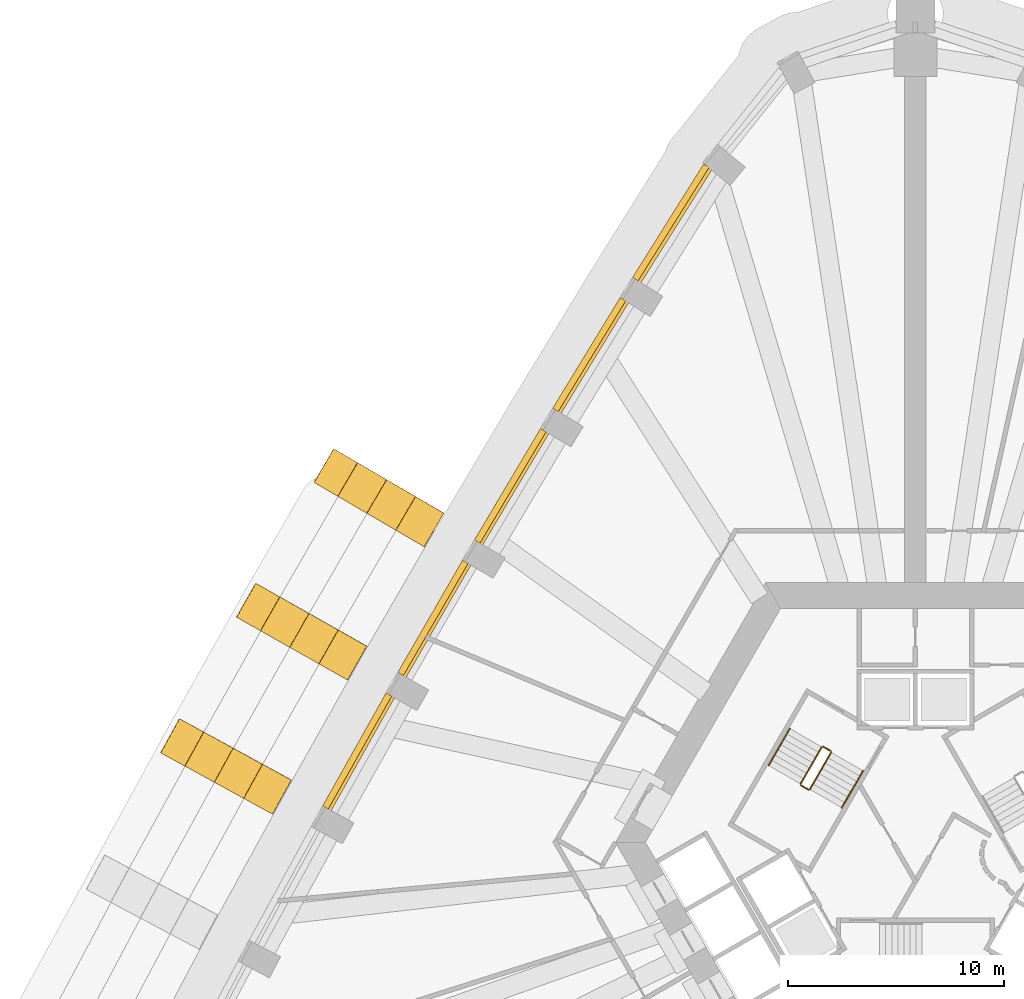
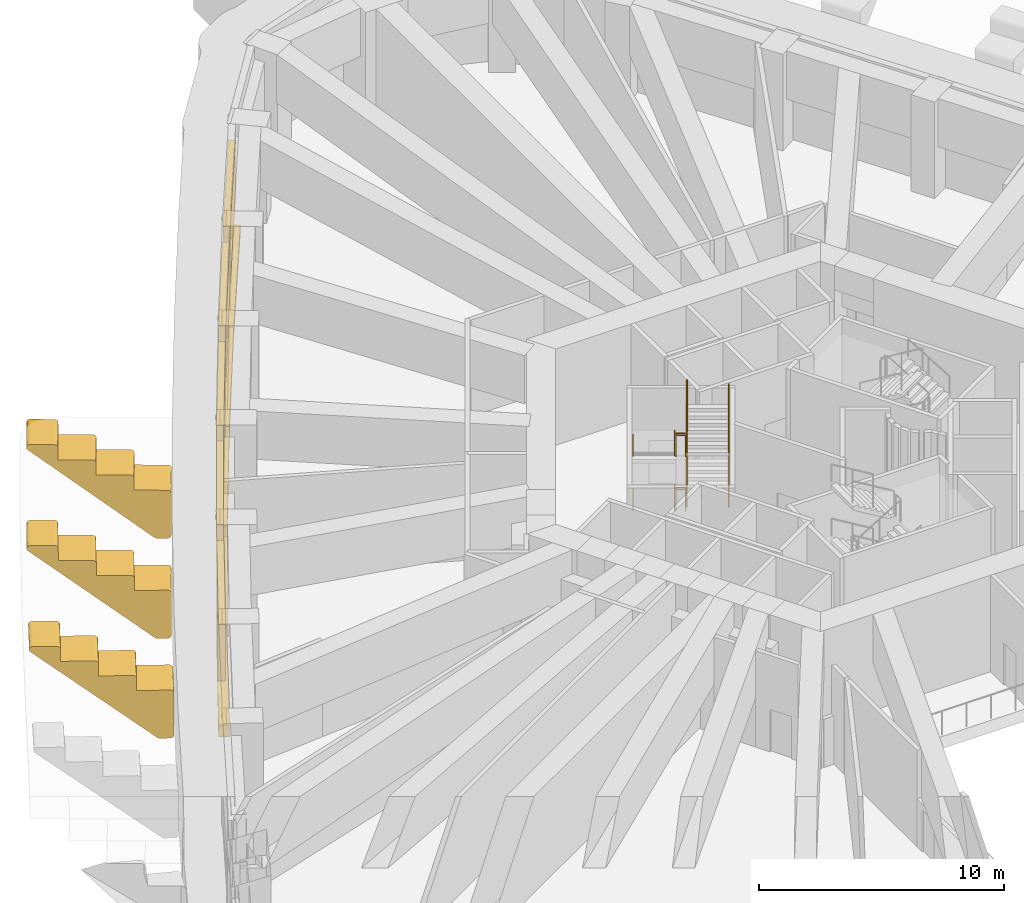
# One storey, part 16 of 20: 12 railings, 8 coverings, 5 shading devices.
"""IFC4 building model written with IfcOpenShell, lengths in metres."""

import ifcopenshell
import ifcopenshell.guid

model = None  # the IFC model being written
_history = None  # IfcOwnerHistory: only IFC2X3 demands one
_inside = {}  # id of a spatial element -> (the spatial element, [elements in it])
_under = {}  # id of a project, library or spatial element -> (it, [spatial elements below it])
_declared = {}  # id of a project -> (the project, [libraries it declares])
_typed = {}  # id of a type object -> (the type object, [elements of that type])
_made_of = {}  # id of a material, layer set ... -> (it, [elements and type objects made of it])


def new_model(schema):
    """Start an empty IFC model of exactly this schema.

    Asked for "IFC4X3", IfcOpenShell would pick the latest addendum, in which some entities
    have other attributes; the version numbers below select the first issue.
    IFC2X3 requires an IfcOwnerHistory on every rooted entity: one is made here for all.
    """
    global model, _history
    if schema == "IFC4X3":
        model = ifcopenshell.file(schema_version=(4, 3, 0, 0))
    else:
        model = ifcopenshell.file(schema=schema)
    _inside.clear()
    _under.clear()
    _declared.clear()
    _typed.clear()
    _made_of.clear()
    _history = None
    if model.schema == "IFC2X3":
        org = make("IfcOrganization", Name="unknown")
        user = make(
            "IfcPersonAndOrganization",
            ThePerson=make("IfcPerson", FamilyName="unknown"),
            TheOrganization=org,
        )
        app = make(
            "IfcApplication",
            ApplicationDeveloper=org,
            Version="unknown",
            ApplicationFullName="unknown",
            ApplicationIdentifier="unknown",
        )
        _history = make(
            "IfcOwnerHistory",
            OwningUser=user,
            OwningApplication=app,
            ChangeAction="ADDED",
            CreationDate=0,
        )
    return model


def make(cls, **values):
    """One entity of the class cls with the attributes given. An attribute that is None is left unset."""
    return model.create_entity(
        cls, **{name: value for name, value in values.items() if value is not None}
    )


def rooted(cls, **values):
    """An entity with a GlobalId (a new one), such as an element, a storey or a relation."""
    return make(cls, GlobalId=ifcopenshell.guid.new(), OwnerHistory=_history, **values)


def si_unit(unit_type, name, prefix=None):
    """IfcSIUnit, for example si_unit("LENGTHUNIT", "METRE", prefix="MILLI")."""
    return make("IfcSIUnit", UnitType=unit_type, Prefix=prefix, Name=name)


def assignment(units):
    """IfcUnitAssignment: the units of a project."""
    return None if units is None else make("IfcUnitAssignment", Units=units)


def point(xyz):
    """IfcCartesianPoint."""
    return None if xyz is None else make("IfcCartesianPoint", Coordinates=xyz)


def direction(xyz):
    """IfcDirection."""
    return None if xyz is None else make("IfcDirection", DirectionRatios=xyz)


def frame(location, z_axis=None, x_axis=None):
    """IfcAxis2Placement3D, a coordinate frame: its origin and axes. An axis left out is left unset."""
    return make(
        "IfcAxis2Placement3D",
        Location=point(location),
        Axis=direction(z_axis),
        RefDirection=direction(x_axis),
    )


def frame_2d(location, x_axis=None):
    """IfcAxis2Placement2D, a coordinate frame in the plane: its origin and x axis."""
    return make(
        "IfcAxis2Placement2D", Location=point(location), RefDirection=direction(x_axis)
    )


def origin():
    """The frame at (0, 0, 0) with its axes left unset."""
    return frame((0.0, 0.0, 0.0))


def origin_2d():
    """The frame at (0, 0) in the plane with its x axis left unset."""
    return frame_2d((0.0, 0.0))


def place(relative_to, where):
    """IfcLocalPlacement: puts the frame where relative to a parent placement (None: the world)."""
    return make(
        "IfcLocalPlacement", PlacementRelTo=relative_to, RelativePlacement=where
    )


def context(
    kind, dimensions, precision=None, world=None, true_north=None, identifier=None
):
    """IfcGeometricRepresentationContext, for example the 3D "Model" context."""
    return make(
        "IfcGeometricRepresentationContext",
        ContextIdentifier=identifier,
        ContextType=kind,
        CoordinateSpaceDimension=dimensions,
        Precision=precision,
        WorldCoordinateSystem=world,
        TrueNorth=true_north,
    )


def subcontext(parent, identifier, kind, view, scale=None):
    """IfcGeometricRepresentationSubContext, for example "Body" below "Model"."""
    return make(
        "IfcGeometricRepresentationSubContext",
        ContextIdentifier=identifier,
        ContextType=kind,
        ParentContext=parent,
        TargetScale=scale,
        TargetView=view,
    )


def project(units=None, contexts=None):
    """IfcProject with its units and contexts."""
    return rooted(
        "IfcProject",
        Name="project",
        RepresentationContexts=contexts,
        UnitsInContext=assignment(units),
    )


def spatial(cls, under=None, at=None, **own):
    """A site, building, storey or space (cls), placed at a placement, below another one or the project."""
    s = rooted(cls, ObjectPlacement=at, **own)
    if under is not None:
        _under.setdefault(under.id(), (under, []))[1].append(s)
    return s


def polyline(points):
    """IfcPolyline through the points."""
    return make("IfcPolyline", Points=[point(p) for p in points])


def profile(cls, at=None, kind="AREA", **sizes):
    """A parametric profile (cls). Its sizes go by their IFC names, for example OverallWidth=200.0."""
    return make(cls, ProfileType=kind, Position=at, **sizes)


def rectangle(**sizes):
    """IfcRectangleProfileDef."""
    return profile("IfcRectangleProfileDef", **sizes)


def circle(**sizes):
    """IfcCircleProfileDef."""
    return profile("IfcCircleProfileDef", **sizes)


def outline(outer, holes=None, kind="AREA"):
    """IfcArbitraryClosedProfileDef: a profile drawn as a closed curve; with holes, ...WithVoids."""
    if holes is None:
        return make("IfcArbitraryClosedProfileDef", ProfileType=kind, OuterCurve=outer)
    return make(
        "IfcArbitraryProfileDefWithVoids",
        ProfileType=kind,
        OuterCurve=outer,
        InnerCurves=holes,
    )


def extrude(swept, where, along, depth):
    """IfcExtrudedAreaSolid: the profile swept, set in the frame where, extruded along a direction by depth."""
    return make(
        "IfcExtrudedAreaSolid",
        SweptArea=swept,
        Position=where,
        ExtrudedDirection=direction(along),
        Depth=depth,
    )


def shape(context_of_items, identifier, shape_type, items):
    """IfcShapeRepresentation: the items that make up one representation, for example the "Body"."""
    return make(
        "IfcShapeRepresentation",
        ContextOfItems=context_of_items,
        RepresentationIdentifier=identifier,
        RepresentationType=shape_type,
        Items=items,
    )


def material(Name=None, Category=None):
    """IfcMaterial."""
    return make("IfcMaterial", Name=Name, Category=Category)


def layer(
    of_material, thickness, ventilated=None, Name=None, Category=None, Priority=None
):
    """IfcMaterialLayer: one layer of a wall or slab, of a material (None: an air gap)."""
    return make(
        "IfcMaterialLayer",
        Material=of_material,
        LayerThickness=thickness,
        IsVentilated=ventilated,
        Name=Name,
        Category=Category,
        Priority=Priority,
    )


def layer_set(layers, Name=None):
    """IfcMaterialLayerSet."""
    return make("IfcMaterialLayerSet", MaterialLayers=layers, LayerSetName=Name)


def made_of(thing, what):
    """Note that an element or type object is made of a material, layer set ...; save() writes the relation."""
    if what is not None:
        _made_of.setdefault(what.id(), (what, []))[1].append(thing)
    return thing


def type_object(cls, material=None, **own):
    """A type object (cls), such as IfcWallType, which elements share."""
    return made_of(rooted(cls, **own), material)


def element(
    cls,
    number,
    at=None,
    inside=None,
    cuts=None,
    type_object=None,
    material=None,
    context=None,
    identifier="Body",
    shape_type=None,
    held_by="IfcProductDefinitionShape",
    body=None,
    shapes=None,
    **own,
):
    """One element of the class cls, such as IfcWall. Its Tag is "e" and its number.

    at: its placement. inside: the storey or other place that contains it. cuts: it is an
    opening in that element (IfcRelVoidsElement). A single representation is given by context,
    identifier, shape_type and body (its items); several are given by shapes. held_by: the class
    of the entity that holds the representations. save() writes the other relations.
    """
    e = rooted(cls, Tag="e%d" % number, ObjectPlacement=at, **own)
    if body is not None:
        shapes = [shape(context, identifier, shape_type, body)]
    if shapes is not None:
        e.Representation = make(held_by, Representations=shapes)
    if inside is not None:
        _inside.setdefault(inside.id(), (inside, []))[1].append(e)
    if cuts is not None:
        rooted(
            "IfcRelVoidsElement", RelatingBuildingElement=cuts, RelatedOpeningElement=e
        )
    if type_object is not None:
        _typed.setdefault(type_object.id(), (type_object, []))[1].append(e)
    return made_of(e, material)


def aggregate(whole, parts):
    """IfcRelAggregates: a whole, such as a stair, and the parts it consists of."""
    return rooted("IfcRelAggregates", RelatingObject=whole, RelatedObjects=parts)


def save(model, path):
    """Write the relations noted so far, then the file.

    IfcRelAggregates (storeys below a building ...), IfcRelContainedInSpatialStructure (elements
    in a storey), IfcRelDefinesByType, IfcRelAssociatesMaterial and IfcRelDeclares: one each for
    every whole, place, type object, material and project.
    """
    for whole, parts in _under.values():
        aggregate(whole, parts)
    for where, things in _inside.values():
        rooted(
            "IfcRelContainedInSpatialStructure",
            RelatedElements=things,
            RelatingStructure=where,
        )
    for kind, things in _typed.values():
        rooted("IfcRelDefinesByType", RelatedObjects=things, RelatingType=kind)
    for what, things in _made_of.values():
        rooted("IfcRelAssociatesMaterial", RelatedObjects=things, RelatingMaterial=what)
    for by, libraries in _declared.values():
        rooted("IfcRelDeclares", RelatingContext=by, RelatedDefinitions=libraries)
    model.write(path)


model = new_model("IFC4")

# Units and contexts
model_context = context("Model", 3, precision=1e-05, world=origin(), true_north=direction((0.0, 1.0)))
body_context = subcontext(model_context, "Body", "Model", "MODEL_VIEW")
ifc_project = project(units=[si_unit("LENGTHUNIT", "METRE"), si_unit("AREAUNIT", "SQUARE_METRE"), si_unit("VOLUMEUNIT", "CUBIC_METRE"), si_unit("PLANEANGLEUNIT", "RADIAN"), si_unit("MASSUNIT", "GRAM", prefix="KILO")], contexts=[model_context])

# Site, building, storey
site_placement = place(None, origin())
site = spatial("IfcSite", under=ifc_project, at=site_placement, CompositionType="ELEMENT")
building_placement = place(site_placement, origin())
building = spatial("IfcBuilding", under=site, at=building_placement, Name="Entoto Arch Interchange Tower", CompositionType="ELEMENT")
storey_placement = place(building_placement, frame((0.0, 0.0, 184.39990234375)))
storey = spatial("IfcBuildingStorey", under=building, at=storey_placement, Name="L41", CompositionType="ELEMENT", Elevation=184.39990234375)

# Shading devices
ifc_material_1 = material(Name="Aluminium, anodised", Category="aluminium")
ifc_layer = layer(ifc_material_1, 0.300048828125)
ifc_layer_set = layer_set([ifc_layer], Name="Aluminium, anodised")
shading_device_type = type_object("IfcShadingDeviceType", Name="PLANT LOUVRE ALUMINIUM", PredefinedType="JALOUSIE", material=ifc_layer_set)
shading_device_1_placement = place(storey_placement, frame((-11.300048828125, 31.14306640625, 1.2001953125), z_axis=(0.0, 0.0, 1.0), x_axis=(-0.530703502672, -0.847557545097, 0.0)))
element("IfcShadingDevice", 1, at=shading_device_1_placement, inside=storey, type_object=shading_device_type, Name="Plant louvre NW-01 L41", PredefinedType="JALOUSIE", context=body_context, shape_type="SweptSolid", body=[
    extrude(rectangle(XDim=6.181884765625, YDim=0.300048828125, at=origin_2d()), origin(), (0.0, 0.0, 1.0), 2.800048828125),
])
shading_device_2_placement = place(storey_placement, frame((-15.072021484375, 25.037109375, 1.2001953125), z_axis=(0.0, 0.0, 1.0), x_axis=(-0.520458324188, -0.853887072617, 0.0)))
element("IfcShadingDevice", 2, at=shading_device_2_placement, inside=storey, type_object=shading_device_type, Name="Plant louvre NW-02 L41", PredefinedType="JALOUSIE", context=body_context, shape_type="SweptSolid", body=[
    extrude(rectangle(XDim=5.97705078125, YDim=0.300048828125, at=origin_2d()), origin(), (0.0, 0.0, 1.0), 2.800048828125),
])
shading_device_3_placement = place(storey_placement, frame((-18.718017578125, 18.97412109375, 1.2001953125), z_axis=(0.0, 0.0, 1.0), x_axis=(-0.510137665403, -0.860092763798, 0.0)))
element("IfcShadingDevice", 3, at=shading_device_3_placement, inside=storey, type_object=shading_device_type, Name="Plant louvre NW-03 L41", PredefinedType="JALOUSIE", context=body_context, shape_type="SweptSolid", body=[
    extrude(rectangle(XDim=5.97509765625, YDim=0.300048828125, at=origin_2d()), origin(), (0.0, 0.0, 1.0), 2.800048828125),
])
shading_device_4_placement = place(storey_placement, frame((-22.291015625, 12.8701171875, 1.2001953125), z_axis=(0.0, 0.0, 1.0), x_axis=(-0.499954654331, -0.866051582536, 0.0)))
element("IfcShadingDevice", 4, at=shading_device_4_placement, inside=storey, type_object=shading_device_type, Name="Plant louvre NW-04 L41", PredefinedType="JALOUSIE", context=body_context, shape_type="SweptSolid", body=[
    extrude(rectangle(XDim=5.97705078125, YDim=0.300048828125, at=origin_2d()), origin(), (0.0, 0.0, 1.0), 2.800048828125),
])
shading_device_5_placement = place(storey_placement, frame((-25.791015625, 6.722900390625, 1.2001953125), z_axis=(0.0, 0.0, 1.0), x_axis=(-0.489671613958, -0.871906939119, 0.0)))
element("IfcShadingDevice", 5, at=shading_device_5_placement, inside=storey, type_object=shading_device_type, Name="Plant louvre NW-05 L41", PredefinedType="JALOUSIE", context=body_context, shape_type="SweptSolid", body=[
    extrude(rectangle(XDim=5.97509765625, YDim=0.300048828125, at=origin_2d()), origin(), (0.0, 0.0, 1.0), 2.800048828125),
])

# Coverings
ifc_material_2 = material(Name="Board-marked precast concrete C50/60", Category="concrete")
covering_type_1 = type_object("IfcCoveringType", Name="PRECAST FRAME COURSE", PredefinedType="CLADDING", material=ifc_material_2)
covering_1_placement = place(storey_placement, frame((-22.367919921875, 18.05908203125, -0.56494140625), z_axis=(0.506027863496, 0.862511859112, 0.003015668627), x_axis=(0.739432822847, -0.432013202965, -0.516336801865)))
element("IfcCovering", 6, at=covering_1_placement, inside=storey, type_object=covering_type_1, Name="Fold rib NW04 L41", PredefinedType="CLADDING", context=body_context, shape_type="SweptSolid", body=[
    extrude(outline(polyline([(0.0, 0.0), (0.044447294992907546, 0.0), (0.08759388481031209, -0.01318497045550249), (0.48992101518003006, -0.25576104474416084), (0.5216849723243558, -0.28660142880021233), (0.5424332148879139, -0.32590794633006503), (0.5502626790137697, -0.36911545623825937), (0.5463323126395223, -0.41236049459729796), (0.5295260059681425, -0.45354096031836866), (-0.5553693091587629, -2.251724267246657), (-0.5726582856305473, -2.2752225141527256), (-0.5939517813636082, -2.2948841138518508), (-0.619344513054294, -2.310077652708122), (-0.6619319527160228, -2.3228873559143324), (-0.7063792477089301, -2.3228873559143324), (-0.7345285957790928, -2.315323047510963), (-0.760888701964068, -2.302849889075579), (-1.9344285485079489, -1.5952895942969092), (-2.252165381802492, -2.1218431455497093), (-2.283463954292672, -2.1520086461461507), (-2.308856685983358, -2.167202185002422), (-2.3362373666882204, -2.1774928382117347), (-2.3796091721636357, -2.181560009112365), (-2.4232131943687145, -2.172945550000093), (-2.44967877252707, -2.160408057899412), (-3.6487881221477734, -1.4374320415049837), (-3.967247057808379, -1.9635519562282508), (-3.997823527932497, -1.9941510933542248), (-4.023216259623183, -2.009344632210496), (-4.0513048257864614, -2.0192052079609395), (-4.094571159288496, -2.0233367125268664), (-4.137994655902061, -2.014830662546978), (-4.16421887175841, -2.002442095975103), (-5.363750109272635, -1.2792087449194853), (-5.681892629013099, -1.805521660638644), (-5.712785515057357, -1.8359277967687264), (-5.738178246748044, -1.8511213356249976), (-5.765664399426287, -1.8613476551690136), (-5.809652835294383, -1.8650455232054077), (-5.852534755133401, -1.8568647006226686), (-5.8797224356578175, -1.8438935719924547), (-6.726485453895221, -1.333356716916553), (-6.749820149131768, -1.315865705179486), (-6.769649617093756, -1.2945023001964873), (-6.7843015839167755, -1.269418392429741), (-6.797444069125039, -1.2275677963473446), (-6.798251134458765, -1.1980039219798329), (-6.794296957408922, -1.1687432343994018), (-6.784676372125244, -1.14175916736427), (-6.76980143496214, -1.1170880552976605), (-6.7499242634986505, -1.0951480526413797), (-6.727037379535119, -1.0773026259905172), (-6.700514321139758, -1.0642147472937213), (-6.6715681326669785, -1.0571513970307609), (0.0, 0.0)])), origin(), (0.0, 0.0, -1.0), 1.800048828125),
])
covering_2_placement = place(storey_placement, frame((-25.93408203125, 11.906982421875, -0.56494140625), z_axis=(0.494016524448, 0.869447248896, 0.003025716345), x_axis=(0.746462994736, -0.422347866749, -0.514213260178)))
element("IfcCovering", 7, at=covering_2_placement, inside=storey, type_object=covering_type_1, Name="Fold rib NW05 L41", PredefinedType="CLADDING", context=body_context, shape_type="SweptSolid", body=[
    extrude(outline(polyline([(0.0, 0.0), (0.04462845394218739, 3.469446951953614e-18), (0.08739292597159795, -0.012828556189763016), (0.49101728658221744, -0.25482559214136924), (0.5224385629672219, -0.2853350794173172), (0.5428707406947765, -0.32434107626372294), (0.5509835625222901, -0.36763576439559187), (0.5476994042080946, -0.4112132507005985), (0.5302696821195224, -0.4520022851374379), (-0.5499352801961389, -2.2530022927739015), (-0.5667449660813993, -2.276798582993454), (-0.5887203460507648, -2.296076115572383), (-0.6140732742042778, -2.3113330907348932), (-0.6562162663846194, -2.3244971769157714), (-0.7006624783847325, -2.324606015636368), (-0.728827773876958, -2.3171117324514494), (-0.7548003356420657, -2.30495633617168), (-1.9297068597671778, -1.6005332874633824), (-2.2471707215526244, -2.1272547138792355), (-2.2775688584888467, -2.1579911673493304), (-2.3036507544106564, -2.172812787629454), (-2.331112427307201, -2.1831057239375617), (-2.374782289754153, -2.1870985028263), (-2.4184052540833365, -2.1785914293460102), (-2.444377815848444, -2.1664360330662413), (-3.6450740763769804, -1.4465504457445786), (-3.962355696220353, -1.9733807108810284), (-3.9928569454287315, -2.0040545939329344), (-4.018106761310089, -2.0193741395136335), (-4.046479643917004, -2.0291228822187577), (-4.089420538595659, -2.033551015989883), (-4.132861260982769, -2.0251527812301893), (-4.159745032458247, -2.0124531913474373), (-5.360362163316864, -1.2926138723281824), (-5.677826025102311, -1.8193352987440354), (-5.708224162038534, -1.8500717522141303), (-5.733164641103425, -1.8655790090493967), (-5.761038763088591, -1.8756216636847478), (-5.804605513263388, -1.8796770129916753), (-5.847816028503949, -1.8714202211841418), (-5.875033119398131, -1.8585166179310417), (-6.722360833323902, -1.3504974646099943), (-6.746564955896732, -1.3325685272411798), (-6.766159234291004, -1.3114259843768337), (-6.786773653960633, -1.2723111488098313), (-6.794423059547757, -1.244380361825752), (-6.795590681803439, -1.2146452222391293), (-6.79118986838533, -1.1856892560457122), (-6.7817380268916825, -1.1586193402261942), (-6.767336715066984, -1.1336611658178453), (-6.747412115427434, -1.1117340740091528), (-6.7246719396413175, -1.0937703447498301), (-6.697894086654131, -1.0807901443528865), (-6.669566351906155, -1.0732933108542122), (0.0, 0.0)])), origin(), (0.0, 0.0, -1.0), 1.800048828125),
])
covering_3_placement = place(storey_placement, frame((-29.4189453125, 5.7099609375, -0.56494140625), z_axis=(0.481971786251, 0.876181340662, 0.003074985137), x_axis=(0.748580462479, -0.409951921807, -0.521120631909)))
element("IfcCovering", 8, at=covering_3_placement, inside=storey, type_object=covering_type_1, Name="Fold rib NW06 L41", PredefinedType="CLADDING", context=body_context, shape_type="SweptSolid", body=[
    extrude(outline(polyline([(0.0, 0.0), (0.044038121105432246, -6.938893903907228e-18), (0.08688110105123895, -0.013287122092476199), (0.4821875985395345, -0.2546539983401968), (0.5131752863328483, -0.28530498433142243), (0.533294784684622, -0.32447826771248583), (0.5413792777804349, -0.3680300268449423), (0.5377368899873699, -0.41157658781407713), (0.5198750489302484, -0.45215998715612415), (-0.5746204713034644, -2.244511594463527), (-0.5918056243910542, -2.2680594294811836), (-0.6138592155794633, -2.2872041441717914), (-0.6394128250884605, -2.302208594378606), (-0.6817658587299015, -2.314965622217983), (-0.7257038939169238, -2.3150275038868324), (-0.7541311820677806, -2.307111966219777), (-0.7811355873011534, -2.2940540200320143), (-1.9499278279573278, -1.5804074088969091), (-2.2707426194472466, -2.1050905955225936), (-2.302220533999984, -2.135072664984875), (-2.3271910409333696, -2.15043580777965), (-2.3549156188215417, -2.160395877493756), (-2.3986180456388526, -2.16403315381311), (-2.4424925004883016, -2.1549804870328604), (-2.468365526440145, -2.1426147311707386), (-3.663649332156667, -1.4127920402727474), (-3.9851951592544754, -1.9370305632481912), (-4.015841952280914, -1.9675191780295633), (-4.040912545132708, -1.9828204391554882), (-4.06936815862877, -1.9923358452193538), (-4.1129704995276715, -1.9960350032075578), (-4.155931159867258, -1.9875381659901095), (-4.182635307345402, -1.9746658648088964), (-5.377188077454033, -1.245287837561146), (-5.698633818633432, -1.7695882422054399), (-5.72938069757828, -1.800014975317962), (-5.754851634103715, -1.8150687097684863), (-5.782806818007727, -1.8248935241766024), (-5.826509244825038, -1.8285308004959564), (-5.869469905164625, -1.820033963278508), (-5.896256725626331, -1.8071123778535854), (-6.740070435495284, -1.2918901050695313), (-6.762890020244532, -1.2745235045204653), (-6.782920345088253, -1.2528556439643128), (-6.79742127708533, -1.2276939772533484), (-6.810535191820486, -1.1856470702773318), (-6.811278159429412, -1.1560149282698355), (-6.806750913134885, -1.1270287041318983), (-6.797158808668124, -1.0999892591503255), (-6.781509922504826, -1.0743599301297362), (-6.763098488111693, -1.0529907917310752), (-6.739381403282216, -1.0357192025147772), (-6.712684185451238, -1.0228441646832476), (-6.684215092326255, -1.015626015505155), (0.0, 0.0)])), origin(), (0.0, 0.0, -1.0), 1.800048828125),
])
covering_type_2 = type_object("IfcCoveringType", Name="PRECAST LEDGE COURSE", PredefinedType="CLADDING", material=ifc_material_2)
covering_4_placement = place(storey_placement, frame((0.0, 0.0, -1.199951171875)))
element("IfcCovering", 9, at=covering_4_placement, inside=storey, type_object=covering_type_2, Name="Precast course NW-01 L41", PredefinedType="CLADDING", context=body_context, shape_type="SweptSolid", body=[
    extrude(outline(polyline([(-12.968994140625, 27.89306640625), (-13.35888671875, 28.136962890625), (-9.48095703125, 34.3291015625), (-9.117919921875, 34.027099609375), (-12.968994140625, 27.89306640625)])), origin(), (0.0, 0.0, 1.0), 0.60009765625),
])
covering_5_placement = place(storey_placement, frame((0.0, 0.0, -1.199951171875)))
element("IfcCovering", 10, at=covering_5_placement, inside=storey, type_object=covering_type_2, Name="Precast course NW-02 L41", PredefinedType="CLADDING", context=body_context, shape_type="SweptSolid", body=[
    extrude(outline(polyline([(-16.654052734375, 21.85888671875), (-17.0419921875, 22.093994140625), (-13.35888671875, 28.136962890625), (-12.968994140625, 27.89306640625), (-16.654052734375, 21.85888671875)])), origin(), (0.0, 0.0, 1.0), 0.60009765625),
])
covering_6_placement = place(storey_placement, frame((0.0, 0.0, -1.199951171875)))
element("IfcCovering", 11, at=covering_6_placement, inside=storey, type_object=covering_type_2, Name="Precast course NW-03 L41", PredefinedType="CLADDING", context=body_context, shape_type="SweptSolid", body=[
    extrude(outline(polyline([(-20.263916015625, 15.781005859375), (-20.652099609375, 16.009033203125), (-17.0419921875, 22.093994140625), (-16.654052734375, 21.85888671875), (-20.263916015625, 15.781005859375)])), origin(), (0.0, 0.0, 1.0), 0.60009765625),
])
covering_7_placement = place(storey_placement, frame((0.0, 0.0, -1.199951171875)))
element("IfcCovering", 12, at=covering_7_placement, inside=storey, type_object=covering_type_2, Name="Precast course NW-04 L41", PredefinedType="CLADDING", context=body_context, shape_type="SweptSolid", body=[
    extrude(outline(polyline([(-23.798095703125, 9.658935546875), (-24.18994140625, 9.881103515625), (-20.652099609375, 16.009033203125), (-20.263916015625, 15.781005859375), (-23.798095703125, 9.658935546875)])), origin(), (0.0, 0.0, 1.0), 0.60009765625),
])
covering_8_placement = place(storey_placement, frame((0.0, 0.0, -1.199951171875)))
element("IfcCovering", 13, at=covering_8_placement, inside=storey, type_object=covering_type_2, Name="Precast course NW-05 L41", PredefinedType="CLADDING", context=body_context, shape_type="SweptSolid", body=[
    extrude(outline(polyline([(-27.257080078125, 3.492919921875), (-27.654052734375, 3.7119140625), (-24.18994140625, 9.881103515625), (-23.798095703125, 9.658935546875), (-27.257080078125, 3.492919921875)])), origin(), (0.0, 0.0, 1.0), 0.60009765625),
])

# Railings
ifc_material_3 = material(Name="Stainless steel 1.4301", Category="steel")
railing_type_1 = type_object("IfcRailingType", Name="STAIR GUARD 1100 STEEL", PredefinedType="GUARDRAIL", material=ifc_material_3)
railing_1_placement = place(storey_placement, frame((-4.327880859375, 6.904052734375, 0.1689453125)))
element("IfcRailing", 14, at=railing_1_placement, inside=storey, type_object=railing_type_1, Name="L41 ST-NW stair guard 1", PredefinedType="GUARDRAIL", context=body_context, shape_type="SweptSolid", body=[
    extrude(circle(Radius=0.02392578125, at=origin_2d()), frame((0.0, 0.0, 1.076171875), z_axis=(-0.428228158944, -0.741771397394, 0.516135484049), x_axis=(0.866042469362, -0.499970440388, 0.0)), (0.0, 0.0, 1.0), 2.28857421875),
    extrude(circle(Radius=0.02099609375, at=origin_2d()), origin(), (0.0, 0.0, 1.0), 1.052001953125),
    extrude(circle(Radius=0.02099609375, at=origin_2d()), frame((-0.489990234375, -0.8486328125, 0.590576171875)), (0.0, 0.0, 1.0), 1.052001953125),
    extrude(circle(Radius=0.02099609375, at=origin_2d()), frame((-0.97998046875, -1.697509765625, 1.18115234375)), (0.0, 0.0, 1.0), 1.052001953125),
])
railing_2_placement = place(storey_placement, frame((-5.28955078125, 5.13818359375, 1.35009765625)))
element("IfcRailing", 15, at=railing_2_placement, inside=storey, type_object=railing_type_1, Name="L41 ST-NW stair guard 2", PredefinedType="GUARDRAIL", context=body_context, shape_type="SweptSolid", body=[
    extrude(circle(Radius=0.02392578125, at=origin_2d()), frame((0.0, 0.0, 1.076171875), z_axis=(0.866094119867, -0.499880961361, 0.0), x_axis=(0.499880961361, 0.866094119867, 0.0)), (0.0, 0.0, 1.0), 0.39990234375),
    extrude(circle(Radius=0.02099609375, at=origin_2d()), origin(), (0.0, 0.0, 1.0), 1.052001953125),
    extrude(circle(Radius=0.02099609375, at=origin_2d()), frame((0.346435546875, -0.199951171875, 0.0)), (0.0, 0.0, 1.0), 1.052001953125),
])
railing_3_placement = place(storey_placement, frame((-4.874755859375, 4.95654296875, 1.518798828125)))
element("IfcRailing", 16, at=railing_3_placement, inside=storey, type_object=railing_type_1, Name="L41 ST-NW stair guard 3", PredefinedType="GUARDRAIL", context=body_context, shape_type="SweptSolid", body=[
    extrude(circle(Radius=0.02392578125, at=origin_2d()), frame((0.0, 0.0, 1.076171875), z_axis=(0.428204578836, 0.741730552229, 0.516213741153), x_axis=(-0.866042469362, 0.499970440388, 0.0)), (0.0, 0.0, 1.0), 2.28857421875),
    extrude(circle(Radius=0.02099609375, at=origin_2d()), origin(), (0.0, 0.0, 1.0), 1.052001953125),
    extrude(circle(Radius=0.02099609375, at=origin_2d()), frame((0.489990234375, 0.8486328125, 0.5908203125)), (0.0, 0.0, 1.0), 1.052001953125),
    extrude(circle(Radius=0.02099609375, at=origin_2d()), frame((0.97998046875, 1.697509765625, 1.181396484375)), (0.0, 0.0, 1.0), 1.052001953125),
])
railing_4_placement = place(storey_placement, frame((-4.259521484375, 6.92236328125, 2.7001953125)))
element("IfcRailing", 17, at=railing_4_placement, inside=storey, type_object=railing_type_1, Name="L41 ST-NW stair guard 4", PredefinedType="GUARDRAIL", context=body_context, shape_type="SweptSolid", body=[
    extrude(circle(Radius=0.02392578125, at=origin_2d()), frame((0.0, 0.0, 1.076171875), z_axis=(0.865829829939, -0.500338590944, 0.0), x_axis=(0.500338590944, 0.865829829939, 0.0)), (0.0, 0.0, 1.0), 0.400146484375),
    extrude(circle(Radius=0.02099609375, at=origin_2d()), origin(), (0.0, 0.0, 1.0), 1.052001953125),
    extrude(circle(Radius=0.02099609375, at=origin_2d()), frame((0.346435546875, -0.2001953125, 0.0)), (0.0, 0.0, 1.0), 1.052001953125),
])
railing_5_placement = place(storey_placement, frame((-4.327880859375, 6.904052734375, 2.868896484375)))
element("IfcRailing", 18, at=railing_5_placement, inside=storey, type_object=railing_type_1, Name="L41 ST-NW stair guard 5", PredefinedType="GUARDRAIL", context=body_context, shape_type="SweptSolid", body=[
    extrude(circle(Radius=0.02392578125, at=origin_2d()), frame((0.0, 0.0, 1.076171875), z_axis=(-0.428228158944, -0.741771397394, 0.516135484049), x_axis=(0.866042469362, -0.499970440388, 0.0)), (0.0, 0.0, 1.0), 2.28857421875),
    extrude(circle(Radius=0.02099609375, at=origin_2d()), origin(), (0.0, 0.0, 1.0), 1.052001953125),
    extrude(circle(Radius=0.02099609375, at=origin_2d()), frame((-0.489990234375, -0.8486328125, 0.590576171875)), (0.0, 0.0, 1.0), 1.052001953125),
    extrude(circle(Radius=0.02099609375, at=origin_2d()), frame((-0.97998046875, -1.697509765625, 1.18115234375)), (0.0, 0.0, 1.0), 1.052001953125),
])
railing_6_placement = place(storey_placement, frame((-5.28955078125, 5.13818359375, 4.050048828125)))
element("IfcRailing", 19, at=railing_6_placement, inside=storey, type_object=railing_type_1, Name="L41 ST-NW stair guard 6", PredefinedType="GUARDRAIL", context=body_context, shape_type="SweptSolid", body=[
    extrude(circle(Radius=0.02392578125, at=origin_2d()), frame((0.0, 0.0, 1.076171875), z_axis=(0.866094119867, -0.499880961361, 0.0), x_axis=(0.499880961361, 0.866094119867, 0.0)), (0.0, 0.0, 1.0), 0.39990234375),
    extrude(circle(Radius=0.02099609375, at=origin_2d()), origin(), (0.0, 0.0, 1.0), 1.052001953125),
    extrude(circle(Radius=0.02099609375, at=origin_2d()), frame((0.346435546875, -0.199951171875, 0.0)), (0.0, 0.0, 1.0), 1.052001953125),
])
railing_7_placement = place(storey_placement, frame((-4.874755859375, 4.95654296875, 4.21875)))
element("IfcRailing", 20, at=railing_7_placement, inside=storey, type_object=railing_type_1, Name="L41 ST-NW stair guard 7", PredefinedType="GUARDRAIL", context=body_context, shape_type="SweptSolid", body=[
    extrude(circle(Radius=0.02392578125, at=origin_2d()), frame((0.0, 0.0, 1.076171875), z_axis=(0.428204578836, 0.741730552229, 0.516213741153), x_axis=(-0.866042469362, 0.499970440388, 0.0)), (0.0, 0.0, 1.0), 2.28857421875),
    extrude(circle(Radius=0.02099609375, at=origin_2d()), origin(), (0.0, 0.0, 1.0), 1.052001953125),
    extrude(circle(Radius=0.02099609375, at=origin_2d()), frame((0.489990234375, 0.8486328125, 0.5908203125)), (0.0, 0.0, 1.0), 1.052001953125),
    extrude(circle(Radius=0.02099609375, at=origin_2d()), frame((0.97998046875, 1.697509765625, 1.181396484375)), (0.0, 0.0, 1.0), 1.052001953125),
])
railing_8_placement = place(storey_placement, frame((-4.259521484375, 6.92236328125, 0.0)))
element("IfcRailing", 21, at=railing_8_placement, inside=storey, type_object=railing_type_1, Name="L41 ST-NW stair guard 8", PredefinedType="GUARDRAIL", context=body_context, shape_type="SweptSolid", body=[
    extrude(circle(Radius=0.02392578125, at=origin_2d()), frame((0.0, 0.0, 1.076171875), z_axis=(0.865829829939, -0.500338590944, 0.0), x_axis=(0.500338590944, 0.865829829939, 0.0)), (0.0, 0.0, 1.0), 0.400146484375),
    extrude(circle(Radius=0.02099609375, at=origin_2d()), origin(), (0.0, 0.0, 1.0), 1.052001953125),
    extrude(circle(Radius=0.02099609375, at=origin_2d()), frame((0.346435546875, -0.2001953125, 0.0)), (0.0, 0.0, 1.0), 1.052001953125),
])
railing_type_2 = type_object("IfcRailingType", Name="STAIR HANDRAIL 900 STEEL", PredefinedType="HANDRAIL", material=ifc_material_3)
railing_9_placement = place(storey_placement, frame((-5.800048828125, 7.75390625, 0.1689453125)))
element("IfcRailing", 22, at=railing_9_placement, inside=storey, type_object=railing_type_2, Name="L41 ST-NW stair handrail 1", PredefinedType="HANDRAIL", context=body_context, shape_type="SweptSolid", body=[
    extrude(circle(Radius=0.02392578125, at=origin_2d()), frame((0.0, 0.0, 0.8759765625), z_axis=(-0.428262048313, -0.74172340804, 0.516176330279), x_axis=(0.866011328839, -0.500024377727, 0.0)), (0.0, 0.0, 1.0), 2.288330078125),
    extrude(circle(Radius=0.02099609375, at=origin_2d()), origin(), (0.0, 0.0, 1.0), 0.851806640625),
    extrude(circle(Radius=0.02099609375, at=origin_2d()), frame((-0.489990234375, -0.8486328125, 0.590576171875)), (0.0, 0.0, 1.0), 0.851806640625),
    extrude(circle(Radius=0.02099609375, at=origin_2d()), frame((-0.97998046875, -1.697265625, 1.18115234375)), (0.0, 0.0, 1.0), 0.851806640625),
])
railing_10_placement = place(storey_placement, frame((-3.402587890625, 4.1064453125, 1.518798828125)))
element("IfcRailing", 23, at=railing_10_placement, inside=storey, type_object=railing_type_2, Name="L41 ST-NW stair handrail 2", PredefinedType="HANDRAIL", context=body_context, shape_type="SweptSolid", body=[
    extrude(circle(Radius=0.02392578125, at=origin_2d()), frame((0.0, 0.0, 0.8759765625), z_axis=(0.428204578836, 0.741730552229, 0.516213741153), x_axis=(-0.866042469362, 0.499970440388, 0.0)), (0.0, 0.0, 1.0), 2.28857421875),
    extrude(circle(Radius=0.02099609375, at=origin_2d()), origin(), (0.0, 0.0, 1.0), 0.851806640625),
    extrude(circle(Radius=0.02099609375, at=origin_2d()), frame((0.489990234375, 0.8486328125, 0.5908203125)), (0.0, 0.0, 1.0), 0.851806640625),
    extrude(circle(Radius=0.02099609375, at=origin_2d()), frame((0.97998046875, 1.697509765625, 1.181396484375)), (0.0, 0.0, 1.0), 0.851806640625),
])
railing_11_placement = place(storey_placement, frame((-5.800048828125, 7.75390625, 2.868896484375)))
element("IfcRailing", 24, at=railing_11_placement, inside=storey, type_object=railing_type_2, Name="L41 ST-NW stair handrail 3", PredefinedType="HANDRAIL", context=body_context, shape_type="SweptSolid", body=[
    extrude(circle(Radius=0.02392578125, at=origin_2d()), frame((0.0, 0.0, 0.8759765625), z_axis=(-0.428262048313, -0.74172340804, 0.516176330279), x_axis=(0.866011328839, -0.500024377727, 0.0)), (0.0, 0.0, 1.0), 2.288330078125),
    extrude(circle(Radius=0.02099609375, at=origin_2d()), origin(), (0.0, 0.0, 1.0), 0.851806640625),
    extrude(circle(Radius=0.02099609375, at=origin_2d()), frame((-0.489990234375, -0.8486328125, 0.590576171875)), (0.0, 0.0, 1.0), 0.851806640625),
    extrude(circle(Radius=0.02099609375, at=origin_2d()), frame((-0.97998046875, -1.697265625, 1.18115234375)), (0.0, 0.0, 1.0), 0.851806640625),
])
railing_12_placement = place(storey_placement, frame((-3.402587890625, 4.1064453125, 4.21875)))
element("IfcRailing", 25, at=railing_12_placement, inside=storey, type_object=railing_type_2, Name="L41 ST-NW stair handrail 4", PredefinedType="HANDRAIL", context=body_context, shape_type="SweptSolid", body=[
    extrude(circle(Radius=0.02392578125, at=origin_2d()), frame((0.0, 0.0, 0.8759765625), z_axis=(0.428204578836, 0.741730552229, 0.516213741153), x_axis=(-0.866042469362, 0.499970440388, 0.0)), (0.0, 0.0, 1.0), 2.28857421875),
    extrude(circle(Radius=0.02099609375, at=origin_2d()), origin(), (0.0, 0.0, 1.0), 0.851806640625),
    extrude(circle(Radius=0.02099609375, at=origin_2d()), frame((0.489990234375, 0.8486328125, 0.5908203125)), (0.0, 0.0, 1.0), 0.851806640625),
    extrude(circle(Radius=0.02099609375, at=origin_2d()), frame((0.97998046875, 1.697509765625, 1.181396484375)), (0.0, 0.0, 1.0), 0.851806640625),
])

save(model, "model.ifc")
